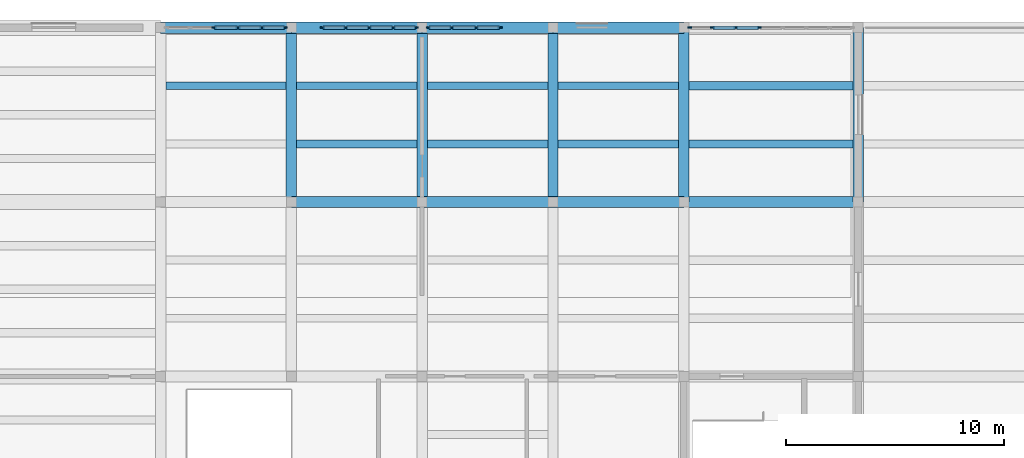
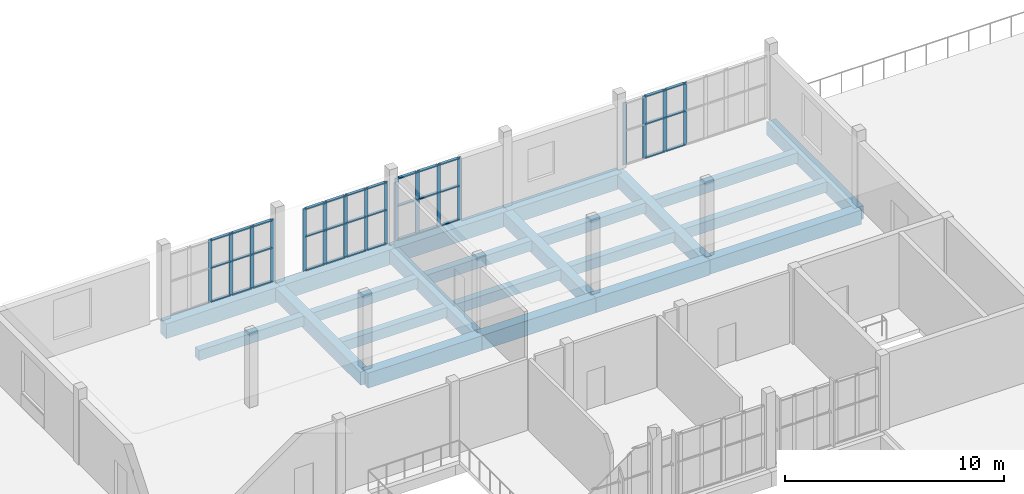
# One storey, part 29 of 70: 53 members, 22 beams, 4 elements without a shape of their own.
"""IFC4 building model written with IfcOpenShell, lengths in metres."""

from ifc_helpers import new_model, si_unit, direction, frame, origin, origin_2d, place, context, subcontext, project, spatial, rectangle, extrude, material, layer, layer_set, material_profile, profile_set, type_object, element, aggregate, save


model = new_model("IFC4")

# Units and contexts
model_context = context("Model", 3, precision=1e-05, world=origin(), true_north=direction((0.0, 1.0)))
body_context = subcontext(model_context, "Body", "Model", "MODEL_VIEW")
ifc_project = project(units=[si_unit("LENGTHUNIT", "METRE"), si_unit("AREAUNIT", "SQUARE_METRE"), si_unit("VOLUMEUNIT", "CUBIC_METRE"), si_unit("PLANEANGLEUNIT", "RADIAN"), si_unit("MASSUNIT", "GRAM", prefix="KILO")], contexts=[model_context])

# Site, building, storey
site_placement = place(None, origin())
site = spatial("IfcSite", under=ifc_project, at=site_placement, CompositionType="ELEMENT")
building_placement = place(site_placement, origin())
building = spatial("IfcBuilding", under=site, at=building_placement, Name="Solvane Community Centre", CompositionType="ELEMENT")
storey_placement = place(building_placement, frame((0.0, 0.0, 9.60009765625)))
storey = spatial("IfcBuildingStorey", under=building, at=storey_placement, Name="L02", CompositionType="ELEMENT", Elevation=9.60009765625)

# Curtain wall, members
ifc_material_1 = material(Name="Anodised bronze aluminium AW-6063 T6", Category="aluminium")
ifc_layer_1 = layer(ifc_material_1, 0.18994140625)
ifc_layer_set_1 = layer_set([ifc_layer_1], Name="Anodised bronze aluminium AW-6063 T6")
curtain_wall_type_1 = type_object("IfcCurtainWallType", Name="Boulevard Bronze Vision Curtain Wall [55x35dm]", PredefinedType="NOTDEFINED", material=ifc_layer_set_1)
curtain_wall_1_placement = place(storey_placement, origin())
curtain_wall_1 = element("IfcCurtainWall", 1, at=curtain_wall_1_placement, inside=storey, type_object=curtain_wall_type_1, Name="Curtain Wall CW-L02-362_1100-206", PredefinedType="NOTDEFINED")
ifc_material_profile_1 = material_profile(ifc_material_1, rectangle(XDim=0.06005859375, YDim=0.18994140625, at=origin_2d()), Name="CW-M 60x190")
ifc_profile_set_1 = profile_set([ifc_material_profile_1], Name="Anodised bronze aluminium AW-6063 T6")
member_type_1 = type_object("IfcMemberType", Name="Boulevard Mullion 60x190", PredefinedType="MULLION", material=ifc_profile_set_1)
member_1_placement = place(storey_placement, frame((38.448974609375, 110.0, 0.0), z_axis=(0.0, 0.0, 1.0), x_axis=(0.0, 1.0, 0.0)))
member_1 = element("IfcMember", 2, at=member_1_placement, type_object=member_type_1, Name="CW02-55x35 mullion 3", PredefinedType="MULLION", context=body_context, shape_type="SweptSolid", body=[
    extrude(rectangle(XDim=0.06005859375, YDim=0.18994140625, at=origin_2d()), origin(), (0.0, 0.0, 1.0), 3.46484375),
])
member_2_placement = place(storey_placement, frame((39.551025390625, 110.0, 0.0), z_axis=(0.0, 0.0, 1.0), x_axis=(0.0, 1.0, 0.0)))
member_2 = element("IfcMember", 3, at=member_2_placement, type_object=member_type_1, Name="CW02-55x35 mullion 4", PredefinedType="MULLION", context=body_context, shape_type="SweptSolid", body=[
    extrude(rectangle(XDim=0.06005859375, YDim=0.18994140625, at=origin_2d()), origin(), (0.0, 0.0, 1.0), 3.46484375),
])
member_3_placement = place(storey_placement, frame((40.653076171875, 110.0, 0.0), z_axis=(0.0, 0.0, 1.0), x_axis=(0.0, 1.0, 0.0)))
member_3 = element("IfcMember", 4, at=member_3_placement, type_object=member_type_1, Name="CW02-55x35 mullion 5", PredefinedType="MULLION", context=body_context, shape_type="SweptSolid", body=[
    extrude(rectangle(XDim=0.06005859375, YDim=0.18994140625, at=origin_2d()), origin(), (0.0, 0.0, 1.0), 3.46484375),
])
member_4_placement = place(storey_placement, frame((41.72509765625, 110.0, 0.0), z_axis=(0.0, 0.0, 1.0), x_axis=(0.0, 1.0, 0.0)))
member_4 = element("IfcMember", 5, at=member_4_placement, type_object=member_type_1, Name="CW02-55x35 mullion 6", PredefinedType="MULLION", context=body_context, shape_type="SweptSolid", body=[
    extrude(rectangle(XDim=0.06005859375, YDim=0.18994140625, at=origin_2d()), origin(), (0.0, 0.0, 1.0), 3.46484375),
])

ifc_layer_2 = layer(ifc_material_1, 0.18994140625)
ifc_layer_set_2 = layer_set([ifc_layer_2], Name="Anodised bronze aluminium AW-6063 T6")
curtain_wall_type_2 = type_object("IfcCurtainWallType", Name="Boulevard Bronze Vision Curtain Wall [44x35dm]", PredefinedType="NOTDEFINED", material=ifc_layer_set_2)
curtain_wall_2_placement = place(storey_placement, origin())
curtain_wall_2 = element("IfcCurtainWall", 6, at=curtain_wall_2_placement, inside=storey, type_object=curtain_wall_type_2, Name="Curtain Wall CW-L02-434_1100-207", PredefinedType="NOTDEFINED")
member_5_placement = place(storey_placement, frame((43.429931640625, 110.0, 0.0), z_axis=(0.0, 0.0, 1.0), x_axis=(0.0, 1.0, 0.0)))
member_5 = element("IfcMember", 7, at=member_5_placement, type_object=member_type_1, Name="CW02-44x35 mullion 1", PredefinedType="MULLION", context=body_context, shape_type="SweptSolid", body=[
    extrude(rectangle(XDim=0.06005859375, YDim=0.18994140625, at=origin_2d()), origin(), (0.0, 0.0, 1.0), 3.46484375),
])
member_6_placement = place(storey_placement, frame((44.48876953125, 110.0, 0.0), z_axis=(0.0, 0.0, 1.0), x_axis=(0.0, 1.0, 0.0)))
member_6 = element("IfcMember", 8, at=member_6_placement, type_object=member_type_1, Name="CW02-44x35 mullion 2", PredefinedType="MULLION", context=body_context, shape_type="SweptSolid", body=[
    extrude(rectangle(XDim=0.06005859375, YDim=0.18994140625, at=origin_2d()), origin(), (0.0, 0.0, 1.0), 3.46484375),
])
member_7_placement = place(storey_placement, frame((45.577392578125, 110.0, 0.0), z_axis=(0.0, 0.0, 1.0), x_axis=(0.0, 1.0, 0.0)))
member_7 = element("IfcMember", 9, at=member_7_placement, type_object=member_type_1, Name="CW02-44x35 mullion 3", PredefinedType="MULLION", context=body_context, shape_type="SweptSolid", body=[
    extrude(rectangle(XDim=0.06005859375, YDim=0.18994140625, at=origin_2d()), origin(), (0.0, 0.0, 1.0), 3.46484375),
])
member_8_placement = place(storey_placement, frame((46.666259765625, 110.0, 0.0), z_axis=(0.0, 0.0, 1.0), x_axis=(0.0, 1.0, 0.0)))
member_8 = element("IfcMember", 10, at=member_8_placement, type_object=member_type_1, Name="CW02-44x35 mullion 4", PredefinedType="MULLION", context=body_context, shape_type="SweptSolid", body=[
    extrude(rectangle(XDim=0.06005859375, YDim=0.18994140625, at=origin_2d()), origin(), (0.0, 0.0, 1.0), 3.46484375),
])
member_9_placement = place(storey_placement, frame((47.72509765625, 110.0, 0.0), z_axis=(0.0, 0.0, 1.0), x_axis=(0.0, 1.0, 0.0)))
member_9 = element("IfcMember", 11, at=member_9_placement, type_object=member_type_1, Name="CW02-44x35 mullion 5", PredefinedType="MULLION", context=body_context, shape_type="SweptSolid", body=[
    extrude(rectangle(XDim=0.06005859375, YDim=0.18994140625, at=origin_2d()), origin(), (0.0, 0.0, 1.0), 3.46484375),
])

ifc_layer_3 = layer(ifc_material_1, 0.18994140625)
ifc_layer_set_3 = layer_set([ifc_layer_3], Name="Anodised bronze aluminium AW-6063 T6")
curtain_wall_type_3 = type_object("IfcCurtainWallType", Name="Boulevard Bronze Vision Curtain Wall [34x35dm]", PredefinedType="NOTDEFINED", material=ifc_layer_set_3)
curtain_wall_3_placement = place(storey_placement, origin())
curtain_wall_3 = element("IfcCurtainWall", 12, at=curtain_wall_3_placement, inside=storey, type_object=curtain_wall_type_3, Name="Curtain Wall CW-L02-482_1100-208", PredefinedType="NOTDEFINED")
member_10_placement = place(storey_placement, frame((48.27490234375, 110.0, 0.0), z_axis=(0.0, 0.0, 1.0), x_axis=(0.0, 1.0, 0.0)))
member_10 = element("IfcMember", 13, at=member_10_placement, type_object=member_type_1, Name="CW02-34x35 mullion 1", PredefinedType="MULLION", context=body_context, shape_type="SweptSolid", body=[
    extrude(rectangle(XDim=0.06005859375, YDim=0.18994140625, at=origin_2d()), origin(), (0.0, 0.0, 1.0), 3.46484375),
])
member_11_placement = place(storey_placement, frame((49.36328125, 110.0, 0.0), z_axis=(0.0, 0.0, 1.0), x_axis=(0.0, 1.0, 0.0)))
member_11 = element("IfcMember", 14, at=member_11_placement, type_object=member_type_1, Name="CW02-34x35 mullion 2", PredefinedType="MULLION", context=body_context, shape_type="SweptSolid", body=[
    extrude(rectangle(XDim=0.06005859375, YDim=0.18994140625, at=origin_2d()), origin(), (0.0, 0.0, 1.0), 3.46484375),
])
member_12_placement = place(storey_placement, frame((50.481689453125, 110.0, 0.0), z_axis=(0.0, 0.0, 1.0), x_axis=(0.0, 1.0, 0.0)))
member_12 = element("IfcMember", 15, at=member_12_placement, type_object=member_type_1, Name="CW02-34x35 mullion 3", PredefinedType="MULLION", context=body_context, shape_type="SweptSolid", body=[
    extrude(rectangle(XDim=0.06005859375, YDim=0.18994140625, at=origin_2d()), origin(), (0.0, 0.0, 1.0), 3.46484375),
])
member_13_placement = place(storey_placement, frame((51.570068359375, 110.0, 0.0), z_axis=(0.0, 0.0, 1.0), x_axis=(0.0, 1.0, 0.0)))
member_13 = element("IfcMember", 16, at=member_13_placement, type_object=member_type_1, Name="CW02-34x35 mullion 4", PredefinedType="MULLION", context=body_context, shape_type="SweptSolid", body=[
    extrude(rectangle(XDim=0.06005859375, YDim=0.18994140625, at=origin_2d()), origin(), (0.0, 0.0, 1.0), 3.46484375),
])

ifc_layer_4 = layer(ifc_material_1, 0.18994140625)
ifc_layer_set_4 = layer_set([ifc_layer_4], Name="Anodised bronze aluminium AW-6063 T6")
curtain_wall_type_4 = type_object("IfcCurtainWallType", Name="Boulevard Bronze Vision Curtain Wall [75x35dm]", PredefinedType="NOTDEFINED", material=ifc_layer_set_4)
curtain_wall_4_placement = place(storey_placement, origin())
curtain_wall_4 = element("IfcCurtainWall", 17, at=curtain_wall_4_placement, inside=storey, type_object=curtain_wall_type_4, Name="Curtain Wall CW-L02-602_1100-209", PredefinedType="NOTDEFINED")
member_14_placement = place(storey_placement, frame((60.27490234375, 110.0, 0.0), z_axis=(0.0, 0.0, 1.0), x_axis=(0.0, 1.0, 0.0)))
member_14 = element("IfcMember", 18, at=member_14_placement, type_object=member_type_1, Name="CW02-75x35 mullion 1", PredefinedType="MULLION", context=body_context, shape_type="SweptSolid", body=[
    extrude(rectangle(XDim=0.06005859375, YDim=0.18994140625, at=origin_2d()), origin(), (0.0, 0.0, 1.0), 3.46484375),
])
member_15_placement = place(storey_placement, frame((61.31787109375, 110.0, 0.0), z_axis=(0.0, 0.0, 1.0), x_axis=(0.0, 1.0, 0.0)))
member_15 = element("IfcMember", 19, at=member_15_placement, type_object=member_type_1, Name="CW02-75x35 mullion 2", PredefinedType="MULLION", context=body_context, shape_type="SweptSolid", body=[
    extrude(rectangle(XDim=0.06005859375, YDim=0.18994140625, at=origin_2d()), origin(), (0.0, 0.0, 1.0), 3.46484375),
])
member_16_placement = place(storey_placement, frame((62.390625, 110.0, 0.0), z_axis=(0.0, 0.0, 1.0), x_axis=(0.0, 1.0, 0.0)))
member_16 = element("IfcMember", 20, at=member_16_placement, type_object=member_type_1, Name="CW02-75x35 mullion 3", PredefinedType="MULLION", context=body_context, shape_type="SweptSolid", body=[
    extrude(rectangle(XDim=0.06005859375, YDim=0.18994140625, at=origin_2d()), origin(), (0.0, 0.0, 1.0), 3.46484375),
])
member_17_placement = place(storey_placement, frame((63.463623046875, 110.0, 0.0), z_axis=(0.0, 0.0, 1.0), x_axis=(0.0, 1.0, 0.0)))
member_17 = element("IfcMember", 21, at=member_17_placement, type_object=member_type_1, Name="CW02-75x35 mullion 4", PredefinedType="MULLION", context=body_context, shape_type="SweptSolid", body=[
    extrude(rectangle(XDim=0.06005859375, YDim=0.18994140625, at=origin_2d()), origin(), (0.0, 0.0, 1.0), 3.46484375),
])

# Member
ifc_material_profile_2 = material_profile(ifc_material_1, rectangle(XDim=0.14990234375, YDim=0.06005859375, at=origin_2d()), Name="CW-T 60x150")
ifc_profile_set_2 = profile_set([ifc_material_profile_2], Name="Anodised bronze aluminium AW-6063 T6")
member_type_2 = type_object("IfcMemberType", Name="Boulevard Transom 60x150", PredefinedType="USERDEFINED", material=ifc_profile_set_2)
member_18_placement = place(storey_placement, frame((38.47900390625, 110.0, 0.02978515625), z_axis=(1.0, 0.0, 0.0), x_axis=(0.0, 1.0, 0.0)))
member_18 = element("IfcMember", 22, at=member_18_placement, type_object=member_type_2, Name="CW02-55x35 transom 3.1", ObjectType="TRANSOM", PredefinedType="USERDEFINED", context=body_context, shape_type="SweptSolid", body=[
    extrude(rectangle(XDim=0.14990234375, YDim=0.06005859375, at=origin_2d()), origin(), (0.0, 0.0, 1.0), 1.0419921875),
])

member_19_placement = place(storey_placement, frame((38.47900390625, 110.0, 1.906005859375), z_axis=(1.0, 0.0, 0.0), x_axis=(0.0, 1.0, 0.0)))
member_19 = element("IfcMember", 23, at=member_19_placement, type_object=member_type_2, Name="CW02-55x35 transom 3.2", ObjectType="TRANSOM", PredefinedType="USERDEFINED", context=body_context, shape_type="SweptSolid", body=[
    extrude(rectangle(XDim=0.14990234375, YDim=0.06005859375, at=origin_2d()), origin(), (0.0, 0.0, 1.0), 1.0419921875),
])

member_20_placement = place(storey_placement, frame((38.47900390625, 110.0, 3.434814453125), z_axis=(1.0, 0.0, 0.0), x_axis=(0.0, 1.0, 0.0)))
member_20 = element("IfcMember", 24, at=member_20_placement, type_object=member_type_2, Name="CW02-55x35 transom 3.3", ObjectType="TRANSOM", PredefinedType="USERDEFINED", context=body_context, shape_type="SweptSolid", body=[
    extrude(rectangle(XDim=0.14990234375, YDim=0.06005859375, at=origin_2d()), origin(), (0.0, 0.0, 1.0), 1.0419921875),
])

member_21_placement = place(storey_placement, frame((39.5810546875, 110.0, 0.02978515625), z_axis=(1.0, 0.0, 0.0), x_axis=(0.0, 1.0, 0.0)))
member_21 = element("IfcMember", 25, at=member_21_placement, type_object=member_type_2, Name="CW02-55x35 transom 4.1", ObjectType="TRANSOM", PredefinedType="USERDEFINED", context=body_context, shape_type="SweptSolid", body=[
    extrude(rectangle(XDim=0.14990234375, YDim=0.06005859375, at=origin_2d()), origin(), (0.0, 0.0, 1.0), 1.0419921875),
])

member_22_placement = place(storey_placement, frame((39.5810546875, 110.0, 1.906005859375), z_axis=(1.0, 0.0, 0.0), x_axis=(0.0, 1.0, 0.0)))
member_22 = element("IfcMember", 26, at=member_22_placement, type_object=member_type_2, Name="CW02-55x35 transom 4.2", ObjectType="TRANSOM", PredefinedType="USERDEFINED", context=body_context, shape_type="SweptSolid", body=[
    extrude(rectangle(XDim=0.14990234375, YDim=0.06005859375, at=origin_2d()), origin(), (0.0, 0.0, 1.0), 1.0419921875),
])

member_23_placement = place(storey_placement, frame((39.5810546875, 110.0, 3.434814453125), z_axis=(1.0, 0.0, 0.0), x_axis=(0.0, 1.0, 0.0)))
member_23 = element("IfcMember", 27, at=member_23_placement, type_object=member_type_2, Name="CW02-55x35 transom 4.3", ObjectType="TRANSOM", PredefinedType="USERDEFINED", context=body_context, shape_type="SweptSolid", body=[
    extrude(rectangle(XDim=0.14990234375, YDim=0.06005859375, at=origin_2d()), origin(), (0.0, 0.0, 1.0), 1.0419921875),
])

member_24_placement = place(storey_placement, frame((40.68310546875, 110.0, 0.02978515625), z_axis=(1.0, 0.0, 0.0), x_axis=(0.0, 1.0, 0.0)))
member_24 = element("IfcMember", 28, at=member_24_placement, type_object=member_type_2, Name="CW02-55x35 transom 5.1", ObjectType="TRANSOM", PredefinedType="USERDEFINED", context=body_context, shape_type="SweptSolid", body=[
    extrude(rectangle(XDim=0.14990234375, YDim=0.06005859375, at=origin_2d()), origin(), (0.0, 0.0, 1.0), 1.011962890625),
])

member_25_placement = place(storey_placement, frame((40.68310546875, 110.0, 1.906005859375), z_axis=(1.0, 0.0, 0.0), x_axis=(0.0, 1.0, 0.0)))
member_25 = element("IfcMember", 29, at=member_25_placement, type_object=member_type_2, Name="CW02-55x35 transom 5.2", ObjectType="TRANSOM", PredefinedType="USERDEFINED", context=body_context, shape_type="SweptSolid", body=[
    extrude(rectangle(XDim=0.14990234375, YDim=0.06005859375, at=origin_2d()), origin(), (0.0, 0.0, 1.0), 1.011962890625),
])

member_26_placement = place(storey_placement, frame((40.68310546875, 110.0, 3.434814453125), z_axis=(1.0, 0.0, 0.0), x_axis=(0.0, 1.0, 0.0)))
member_26 = element("IfcMember", 30, at=member_26_placement, type_object=member_type_2, Name="CW02-55x35 transom 5.3", ObjectType="TRANSOM", PredefinedType="USERDEFINED", context=body_context, shape_type="SweptSolid", body=[
    extrude(rectangle(XDim=0.14990234375, YDim=0.06005859375, at=origin_2d()), origin(), (0.0, 0.0, 1.0), 1.011962890625),
])

aggregate(curtain_wall_1, [member_1, member_2, member_3, member_4, member_18, member_19, member_20, member_21, member_22, member_23, member_24, member_25, member_26])

member_27_placement = place(storey_placement, frame((43.4599609375, 110.0, 0.02978515625), z_axis=(1.0, 0.0, 0.0), x_axis=(0.0, 1.0, 0.0)))
member_27 = element("IfcMember", 31, at=member_27_placement, type_object=member_type_2, Name="CW02-44x35 transom 1.1", ObjectType="TRANSOM", PredefinedType="USERDEFINED", context=body_context, shape_type="SweptSolid", body=[
    extrude(rectangle(XDim=0.14990234375, YDim=0.06005859375, at=origin_2d()), origin(), (0.0, 0.0, 1.0), 0.998779296875),
])

member_28_placement = place(storey_placement, frame((43.4599609375, 110.0, 1.906005859375), z_axis=(1.0, 0.0, 0.0), x_axis=(0.0, 1.0, 0.0)))
member_28 = element("IfcMember", 32, at=member_28_placement, type_object=member_type_2, Name="CW02-44x35 transom 1.2", ObjectType="TRANSOM", PredefinedType="USERDEFINED", context=body_context, shape_type="SweptSolid", body=[
    extrude(rectangle(XDim=0.14990234375, YDim=0.06005859375, at=origin_2d()), origin(), (0.0, 0.0, 1.0), 0.998779296875),
])

member_29_placement = place(storey_placement, frame((43.4599609375, 110.0, 3.434814453125), z_axis=(1.0, 0.0, 0.0), x_axis=(0.0, 1.0, 0.0)))
member_29 = element("IfcMember", 33, at=member_29_placement, type_object=member_type_2, Name="CW02-44x35 transom 1.3", ObjectType="TRANSOM", PredefinedType="USERDEFINED", context=body_context, shape_type="SweptSolid", body=[
    extrude(rectangle(XDim=0.14990234375, YDim=0.06005859375, at=origin_2d()), origin(), (0.0, 0.0, 1.0), 0.998779296875),
])

member_30_placement = place(storey_placement, frame((44.518798828125, 110.0, 0.02978515625), z_axis=(1.0, 0.0, 0.0), x_axis=(0.0, 1.0, 0.0)))
member_30 = element("IfcMember", 34, at=member_30_placement, type_object=member_type_2, Name="CW02-44x35 transom 2.1", ObjectType="TRANSOM", PredefinedType="USERDEFINED", context=body_context, shape_type="SweptSolid", body=[
    extrude(rectangle(XDim=0.14990234375, YDim=0.06005859375, at=origin_2d()), origin(), (0.0, 0.0, 1.0), 1.02880859375),
])

member_31_placement = place(storey_placement, frame((44.518798828125, 110.0, 1.906005859375), z_axis=(1.0, 0.0, 0.0), x_axis=(0.0, 1.0, 0.0)))
member_31 = element("IfcMember", 35, at=member_31_placement, type_object=member_type_2, Name="CW02-44x35 transom 2.2", ObjectType="TRANSOM", PredefinedType="USERDEFINED", context=body_context, shape_type="SweptSolid", body=[
    extrude(rectangle(XDim=0.14990234375, YDim=0.06005859375, at=origin_2d()), origin(), (0.0, 0.0, 1.0), 1.02880859375),
])

member_32_placement = place(storey_placement, frame((44.518798828125, 110.0, 3.434814453125), z_axis=(1.0, 0.0, 0.0), x_axis=(0.0, 1.0, 0.0)))
member_32 = element("IfcMember", 36, at=member_32_placement, type_object=member_type_2, Name="CW02-44x35 transom 2.3", ObjectType="TRANSOM", PredefinedType="USERDEFINED", context=body_context, shape_type="SweptSolid", body=[
    extrude(rectangle(XDim=0.14990234375, YDim=0.06005859375, at=origin_2d()), origin(), (0.0, 0.0, 1.0), 1.02880859375),
])

member_33_placement = place(storey_placement, frame((45.607421875, 110.0, 0.02978515625), z_axis=(1.0, 0.0, 0.0), x_axis=(0.0, 1.0, 0.0)))
member_33 = element("IfcMember", 37, at=member_33_placement, type_object=member_type_2, Name="CW02-44x35 transom 3.1", ObjectType="TRANSOM", PredefinedType="USERDEFINED", context=body_context, shape_type="SweptSolid", body=[
    extrude(rectangle(XDim=0.14990234375, YDim=0.06005859375, at=origin_2d()), origin(), (0.0, 0.0, 1.0), 1.02880859375),
])

member_34_placement = place(storey_placement, frame((45.607421875, 110.0, 1.906005859375), z_axis=(1.0, 0.0, 0.0), x_axis=(0.0, 1.0, 0.0)))
member_34 = element("IfcMember", 38, at=member_34_placement, type_object=member_type_2, Name="CW02-44x35 transom 3.2", ObjectType="TRANSOM", PredefinedType="USERDEFINED", context=body_context, shape_type="SweptSolid", body=[
    extrude(rectangle(XDim=0.14990234375, YDim=0.06005859375, at=origin_2d()), origin(), (0.0, 0.0, 1.0), 1.02880859375),
])

member_35_placement = place(storey_placement, frame((45.607421875, 110.0, 3.434814453125), z_axis=(1.0, 0.0, 0.0), x_axis=(0.0, 1.0, 0.0)))
member_35 = element("IfcMember", 39, at=member_35_placement, type_object=member_type_2, Name="CW02-44x35 transom 3.3", ObjectType="TRANSOM", PredefinedType="USERDEFINED", context=body_context, shape_type="SweptSolid", body=[
    extrude(rectangle(XDim=0.14990234375, YDim=0.06005859375, at=origin_2d()), origin(), (0.0, 0.0, 1.0), 1.02880859375),
])

member_36_placement = place(storey_placement, frame((46.6962890625, 110.0, 0.02978515625), z_axis=(1.0, 0.0, 0.0), x_axis=(0.0, 1.0, 0.0)))
member_36 = element("IfcMember", 40, at=member_36_placement, type_object=member_type_2, Name="CW02-44x35 transom 4.1", ObjectType="TRANSOM", PredefinedType="USERDEFINED", context=body_context, shape_type="SweptSolid", body=[
    extrude(rectangle(XDim=0.14990234375, YDim=0.06005859375, at=origin_2d()), origin(), (0.0, 0.0, 1.0), 0.998779296875),
])

member_37_placement = place(storey_placement, frame((46.6962890625, 110.0, 1.906005859375), z_axis=(1.0, 0.0, 0.0), x_axis=(0.0, 1.0, 0.0)))
member_37 = element("IfcMember", 41, at=member_37_placement, type_object=member_type_2, Name="CW02-44x35 transom 4.2", ObjectType="TRANSOM", PredefinedType="USERDEFINED", context=body_context, shape_type="SweptSolid", body=[
    extrude(rectangle(XDim=0.14990234375, YDim=0.06005859375, at=origin_2d()), origin(), (0.0, 0.0, 1.0), 0.998779296875),
])

member_38_placement = place(storey_placement, frame((46.6962890625, 110.0, 3.434814453125), z_axis=(1.0, 0.0, 0.0), x_axis=(0.0, 1.0, 0.0)))
member_38 = element("IfcMember", 42, at=member_38_placement, type_object=member_type_2, Name="CW02-44x35 transom 4.3", ObjectType="TRANSOM", PredefinedType="USERDEFINED", context=body_context, shape_type="SweptSolid", body=[
    extrude(rectangle(XDim=0.14990234375, YDim=0.06005859375, at=origin_2d()), origin(), (0.0, 0.0, 1.0), 0.998779296875),
])

aggregate(curtain_wall_2, [member_5, member_6, member_7, member_8, member_9, member_27, member_28, member_29, member_30, member_31, member_32, member_33, member_34, member_35, member_36, member_37, member_38])

member_39_placement = place(storey_placement, frame((48.304931640625, 110.0, 0.02978515625), z_axis=(1.0, 0.0, 0.0), x_axis=(0.0, 1.0, 0.0)))
member_39 = element("IfcMember", 43, at=member_39_placement, type_object=member_type_2, Name="CW02-34x35 transom 1.1", ObjectType="TRANSOM", PredefinedType="USERDEFINED", context=body_context, shape_type="SweptSolid", body=[
    extrude(rectangle(XDim=0.14990234375, YDim=0.06005859375, at=origin_2d()), origin(), (0.0, 0.0, 1.0), 1.0283203125),
])

member_40_placement = place(storey_placement, frame((48.304931640625, 110.0, 1.906005859375), z_axis=(1.0, 0.0, 0.0), x_axis=(0.0, 1.0, 0.0)))
member_40 = element("IfcMember", 44, at=member_40_placement, type_object=member_type_2, Name="CW02-34x35 transom 1.2", ObjectType="TRANSOM", PredefinedType="USERDEFINED", context=body_context, shape_type="SweptSolid", body=[
    extrude(rectangle(XDim=0.14990234375, YDim=0.06005859375, at=origin_2d()), origin(), (0.0, 0.0, 1.0), 1.0283203125),
])

member_41_placement = place(storey_placement, frame((48.304931640625, 110.0, 3.434814453125), z_axis=(1.0, 0.0, 0.0), x_axis=(0.0, 1.0, 0.0)))
member_41 = element("IfcMember", 45, at=member_41_placement, type_object=member_type_2, Name="CW02-34x35 transom 1.3", ObjectType="TRANSOM", PredefinedType="USERDEFINED", context=body_context, shape_type="SweptSolid", body=[
    extrude(rectangle(XDim=0.14990234375, YDim=0.06005859375, at=origin_2d()), origin(), (0.0, 0.0, 1.0), 1.0283203125),
])

member_42_placement = place(storey_placement, frame((49.393310546875, 110.0, 0.02978515625), z_axis=(1.0, 0.0, 0.0), x_axis=(0.0, 1.0, 0.0)))
member_42 = element("IfcMember", 46, at=member_42_placement, type_object=member_type_2, Name="CW02-34x35 transom 2.1", ObjectType="TRANSOM", PredefinedType="USERDEFINED", context=body_context, shape_type="SweptSolid", body=[
    extrude(rectangle(XDim=0.14990234375, YDim=0.06005859375, at=origin_2d()), origin(), (0.0, 0.0, 1.0), 1.058349609375),
])

member_43_placement = place(storey_placement, frame((49.393310546875, 110.0, 1.906005859375), z_axis=(1.0, 0.0, 0.0), x_axis=(0.0, 1.0, 0.0)))
member_43 = element("IfcMember", 47, at=member_43_placement, type_object=member_type_2, Name="CW02-34x35 transom 2.2", ObjectType="TRANSOM", PredefinedType="USERDEFINED", context=body_context, shape_type="SweptSolid", body=[
    extrude(rectangle(XDim=0.14990234375, YDim=0.06005859375, at=origin_2d()), origin(), (0.0, 0.0, 1.0), 1.058349609375),
])

member_44_placement = place(storey_placement, frame((49.393310546875, 110.0, 3.434814453125), z_axis=(1.0, 0.0, 0.0), x_axis=(0.0, 1.0, 0.0)))
member_44 = element("IfcMember", 48, at=member_44_placement, type_object=member_type_2, Name="CW02-34x35 transom 2.3", ObjectType="TRANSOM", PredefinedType="USERDEFINED", context=body_context, shape_type="SweptSolid", body=[
    extrude(rectangle(XDim=0.14990234375, YDim=0.06005859375, at=origin_2d()), origin(), (0.0, 0.0, 1.0), 1.058349609375),
])

member_45_placement = place(storey_placement, frame((50.51171875, 110.0, 0.02978515625), z_axis=(1.0, 0.0, 0.0), x_axis=(0.0, 1.0, 0.0)))
member_45 = element("IfcMember", 49, at=member_45_placement, type_object=member_type_2, Name="CW02-34x35 transom 3.1", ObjectType="TRANSOM", PredefinedType="USERDEFINED", context=body_context, shape_type="SweptSolid", body=[
    extrude(rectangle(XDim=0.14990234375, YDim=0.06005859375, at=origin_2d()), origin(), (0.0, 0.0, 1.0), 1.0283203125),
])

member_46_placement = place(storey_placement, frame((50.51171875, 110.0, 1.906005859375), z_axis=(1.0, 0.0, 0.0), x_axis=(0.0, 1.0, 0.0)))
member_46 = element("IfcMember", 50, at=member_46_placement, type_object=member_type_2, Name="CW02-34x35 transom 3.2", ObjectType="TRANSOM", PredefinedType="USERDEFINED", context=body_context, shape_type="SweptSolid", body=[
    extrude(rectangle(XDim=0.14990234375, YDim=0.06005859375, at=origin_2d()), origin(), (0.0, 0.0, 1.0), 1.0283203125),
])

member_47_placement = place(storey_placement, frame((50.51171875, 110.0, 3.434814453125), z_axis=(1.0, 0.0, 0.0), x_axis=(0.0, 1.0, 0.0)))
member_47 = element("IfcMember", 51, at=member_47_placement, type_object=member_type_2, Name="CW02-34x35 transom 3.3", ObjectType="TRANSOM", PredefinedType="USERDEFINED", context=body_context, shape_type="SweptSolid", body=[
    extrude(rectangle(XDim=0.14990234375, YDim=0.06005859375, at=origin_2d()), origin(), (0.0, 0.0, 1.0), 1.0283203125),
])

aggregate(curtain_wall_3, [member_10, member_11, member_12, member_13, member_39, member_40, member_41, member_42, member_43, member_44, member_45, member_46, member_47])

member_48_placement = place(storey_placement, frame((61.347900390625, 110.0, 0.02978515625), z_axis=(1.0, 0.0, 0.0), x_axis=(0.0, 1.0, 0.0)))
member_48 = element("IfcMember", 52, at=member_48_placement, type_object=member_type_2, Name="CW02-75x35 transom 2.1", ObjectType="TRANSOM", PredefinedType="USERDEFINED", context=body_context, shape_type="SweptSolid", body=[
    extrude(rectangle(XDim=0.14990234375, YDim=0.06005859375, at=origin_2d()), origin(), (0.0, 0.0, 1.0), 1.0126953125),
])

member_49_placement = place(storey_placement, frame((61.347900390625, 110.0, 1.906005859375), z_axis=(1.0, 0.0, 0.0), x_axis=(0.0, 1.0, 0.0)))
member_49 = element("IfcMember", 53, at=member_49_placement, type_object=member_type_2, Name="CW02-75x35 transom 2.2", ObjectType="TRANSOM", PredefinedType="USERDEFINED", context=body_context, shape_type="SweptSolid", body=[
    extrude(rectangle(XDim=0.14990234375, YDim=0.06005859375, at=origin_2d()), origin(), (0.0, 0.0, 1.0), 1.0126953125),
])

member_50_placement = place(storey_placement, frame((61.347900390625, 110.0, 3.434814453125), z_axis=(1.0, 0.0, 0.0), x_axis=(0.0, 1.0, 0.0)))
member_50 = element("IfcMember", 54, at=member_50_placement, type_object=member_type_2, Name="CW02-75x35 transom 2.3", ObjectType="TRANSOM", PredefinedType="USERDEFINED", context=body_context, shape_type="SweptSolid", body=[
    extrude(rectangle(XDim=0.14990234375, YDim=0.06005859375, at=origin_2d()), origin(), (0.0, 0.0, 1.0), 1.0126953125),
])

member_51_placement = place(storey_placement, frame((62.420654296875, 110.0, 0.02978515625), z_axis=(1.0, 0.0, 0.0), x_axis=(0.0, 1.0, 0.0)))
member_51 = element("IfcMember", 55, at=member_51_placement, type_object=member_type_2, Name="CW02-75x35 transom 3.1", ObjectType="TRANSOM", PredefinedType="USERDEFINED", context=body_context, shape_type="SweptSolid", body=[
    extrude(rectangle(XDim=0.14990234375, YDim=0.06005859375, at=origin_2d()), origin(), (0.0, 0.0, 1.0), 1.012939453125),
])

member_52_placement = place(storey_placement, frame((62.420654296875, 110.0, 1.906005859375), z_axis=(1.0, 0.0, 0.0), x_axis=(0.0, 1.0, 0.0)))
member_52 = element("IfcMember", 56, at=member_52_placement, type_object=member_type_2, Name="CW02-75x35 transom 3.2", ObjectType="TRANSOM", PredefinedType="USERDEFINED", context=body_context, shape_type="SweptSolid", body=[
    extrude(rectangle(XDim=0.14990234375, YDim=0.06005859375, at=origin_2d()), origin(), (0.0, 0.0, 1.0), 1.012939453125),
])

member_53_placement = place(storey_placement, frame((62.420654296875, 110.0, 3.434814453125), z_axis=(1.0, 0.0, 0.0), x_axis=(0.0, 1.0, 0.0)))
member_53 = element("IfcMember", 57, at=member_53_placement, type_object=member_type_2, Name="CW02-75x35 transom 3.3", ObjectType="TRANSOM", PredefinedType="USERDEFINED", context=body_context, shape_type="SweptSolid", body=[
    extrude(rectangle(XDim=0.14990234375, YDim=0.06005859375, at=origin_2d()), origin(), (0.0, 0.0, 1.0), 1.012939453125),
])

aggregate(curtain_wall_4, [member_14, member_15, member_16, member_17, member_48, member_49, member_50, member_51, member_52, member_53])

# Beams
ifc_material_2 = material(Name="Concrete C35/45", Category="concrete")
ifc_material_profile_3 = material_profile(ifc_material_2, rectangle(XDim=0.47998046875, YDim=0.739990234375, at=origin_2d()), Name="RC 480x740")
ifc_profile_set_3 = profile_set([ifc_material_profile_3], Name="Concrete C35/45")
beam_type_1 = type_object("IfcBeamType", Name="RC Bay Beam 480x740", PredefinedType="BEAM", material=ifc_profile_set_3)
for number, where, z_axis, x_axis, name in (
    (58, (42.0, 102.0, -0.590087890625), (0.0, 1.0, 0.0), (-1.0, 0.0, 0.0), "Beam BM-L02-420_1020-420_1100"),
    (59, (48.0, 102.0, -0.590087890625), (0.0, 1.0, 0.0), (-1.0, 0.0, 0.0), "Beam BM-L02-480_1020-480_1100"),
    (60, (54.0, 102.0, -0.590087890625), (0.0, 1.0, 0.0), (-1.0, 0.0, 0.0), "Beam BM-L02-540_1020-540_1100"),
    (61, (60.0, 102.0, -0.590087890625), (0.0, 1.0, 0.0), (-1.0, 0.0, 0.0), "Beam BM-L02-600_1020-600_1100"),
    (62, (68.0, 102.0, -0.590087890625), (0.0, 1.0, 0.0), (-1.0, 0.0, 0.0), "Beam BM-L02-680_1020-680_1100"),
):
    element("IfcBeam", number, at=place(storey_placement, frame(where, z_axis=z_axis, x_axis=x_axis)), inside=storey, type_object=beam_type_1, Name=name, PredefinedType="BEAM", context=body_context, shape_type="SweptSolid", body=[
        extrude(rectangle(XDim=0.47998046875, YDim=0.739990234375, at=origin_2d()), origin(), (0.0, 0.0, 1.0), 8.0),
    ])
ifc_material_profile_4 = material_profile(ifc_material_2, rectangle(XDim=0.52001953125, YDim=0.830078125, at=origin_2d()), Name="RC 520x830")
ifc_profile_set_4 = profile_set([ifc_material_profile_4], Name="Concrete C35/45")
beam_type_2 = type_object("IfcBeamType", Name="RC Medium Girder 520x830", PredefinedType="USERDEFINED", material=ifc_profile_set_4)
for number, where, z_axis, x_axis, name in (
    (63, (42.0, 102.0, -0.635009765625), (1.0, 0.0, 0.0), (0.0, 1.0, 0.0), "Beam BM-L02-420_1020-480_1020"),
    (64, (48.0, 102.0, -0.635009765625), (1.0, 0.0, 0.0), (0.0, 1.0, 0.0), "Beam BM-L02-480_1020-540_1020"),
    (65, (54.0, 102.0, -0.635009765625), (1.0, 0.0, 0.0), (0.0, 1.0, 0.0), "Beam BM-L02-540_1020-600_1020"),
    (66, (36.0, 110.0, -0.635009765625), (1.0, 0.0, 0.0), (0.0, 1.0, 0.0), "Beam BM-L02-360_1100-420_1100"),
    (67, (42.0, 110.0, -0.635009765625), (1.0, 0.0, 0.0), (0.0, 1.0, 0.0), "Beam BM-L02-420_1100-480_1100"),
    (68, (48.0, 110.0, -0.635009765625), (1.0, 0.0, 0.0), (0.0, 1.0, 0.0), "Beam BM-L02-480_1100-540_1100"),
    (69, (54.0, 110.0, -0.635009765625), (1.0, 0.0, 0.0), (0.0, 1.0, 0.0), "Beam BM-L02-540_1100-600_1100"),
):
    element("IfcBeam", number, at=place(storey_placement, frame(where, z_axis=z_axis, x_axis=x_axis)), inside=storey, type_object=beam_type_2, Name=name, ObjectType="GIRDER", PredefinedType="USERDEFINED", context=body_context, shape_type="SweptSolid", body=[
        extrude(rectangle(XDim=0.52001953125, YDim=0.830078125, at=origin_2d()), origin(), (0.0, 0.0, 1.0), 6.0),
    ])
ifc_material_profile_5 = material_profile(ifc_material_2, rectangle(XDim=0.5, YDim=0.800048828125, at=origin_2d()), Name="RC 500x800")
ifc_profile_set_5 = profile_set([ifc_material_profile_5], Name="Concrete C35/45")
beam_type_3 = type_object("IfcBeamType", Name="RC Primary Girder 500x800", PredefinedType="USERDEFINED", material=ifc_profile_set_5)
beam_placement = place(storey_placement, frame((60.0, 102.0, -0.6201171875), z_axis=(1.0, 0.0, 0.0), x_axis=(0.0, 1.0, 0.0)))
element("IfcBeam", 70, at=beam_placement, inside=storey, type_object=beam_type_3, Name="Beam BM-L02-600_1020-680_1020", ObjectType="GIRDER", PredefinedType="USERDEFINED", context=body_context, shape_type="SweptSolid", body=[
    extrude(rectangle(XDim=0.5, YDim=0.800048828125, at=origin_2d()), origin(), (0.0, 0.0, 1.0), 8.0),
])
ifc_material_profile_6 = material_profile(ifc_material_2, rectangle(XDim=0.3798828125, YDim=0.580078125, at=origin_2d()), Name="RC 380x580")
ifc_profile_set_6 = profile_set([ifc_material_profile_6], Name="Concrete C35/45")
beam_type_4 = type_object("IfcBeamType", Name="RC Short Joist 380x580", PredefinedType="JOIST", material=ifc_profile_set_6)
for number, where, z_axis, x_axis, name in (
    (71, (60.239990234375, 104.666748046875, -0.510009765625), (1.0, 0.0, 0.0), (0.0, 1.0, 0.0), "Beam BM-L02-602_1047-678_1047"),
    (72, (60.239990234375, 107.333251953125, -0.510009765625), (1.0, 0.0, 0.0), (0.0, 1.0, 0.0), "Beam BM-L02-602_1073-678_1073"),
):
    element("IfcBeam", number, at=place(storey_placement, frame(where, z_axis=z_axis, x_axis=x_axis)), inside=storey, type_object=beam_type_4, Name=name, PredefinedType="JOIST", context=body_context, shape_type="SweptSolid", body=[
        extrude(rectangle(XDim=0.3798828125, YDim=0.580078125, at=origin_2d()), origin(), (0.0, 0.0, 1.0), 7.52001953125),
    ])
ifc_material_profile_7 = material_profile(ifc_material_2, rectangle(XDim=0.360107421875, YDim=0.56005859375, at=origin_2d()), Name="RC 360x560")
ifc_profile_set_7 = profile_set([ifc_material_profile_7], Name="Concrete C35/45")
beam_type_5 = type_object("IfcBeamType", Name="RC Terrace Joist 360x560", PredefinedType="JOIST", material=ifc_profile_set_7)
for number, where, z_axis, x_axis, name in (
    (73, (36.239990234375, 107.333251953125, -0.5), (1.0, 0.0, 0.0), (0.0, 1.0, 0.0), "Beam BM-L02-362_1073-418_1073"),
    (74, (42.239990234375, 104.666748046875, -0.5), (1.0, 0.0, 0.0), (0.0, 1.0, 0.0), "Beam BM-L02-422_1047-478_1047"),
    (75, (42.239990234375, 107.333251953125, -0.5), (1.0, 0.0, 0.0), (0.0, 1.0, 0.0), "Beam BM-L02-422_1073-478_1073"),
    (76, (48.239990234375, 104.666748046875, -0.5), (1.0, 0.0, 0.0), (0.0, 1.0, 0.0), "Beam BM-L02-482_1047-538_1047"),
    (77, (48.239990234375, 107.333251953125, -0.5), (1.0, 0.0, 0.0), (0.0, 1.0, 0.0), "Beam BM-L02-482_1073-538_1073"),
    (78, (54.239990234375, 104.666748046875, -0.5), (1.0, 0.0, 0.0), (0.0, 1.0, 0.0), "Beam BM-L02-542_1047-598_1047"),
    (79, (54.239990234375, 107.333251953125, -0.5), (1.0, 0.0, 0.0), (0.0, 1.0, 0.0), "Beam BM-L02-542_1073-598_1073"),
):
    element("IfcBeam", number, at=place(storey_placement, frame(where, z_axis=z_axis, x_axis=x_axis)), inside=storey, type_object=beam_type_5, Name=name, PredefinedType="JOIST", context=body_context, shape_type="SweptSolid", body=[
        extrude(rectangle(XDim=0.360107421875, YDim=0.56005859375, at=origin_2d()), origin(), (0.0, 0.0, 1.0), 5.52001953125),
    ])

save(model, "model.ifc")
